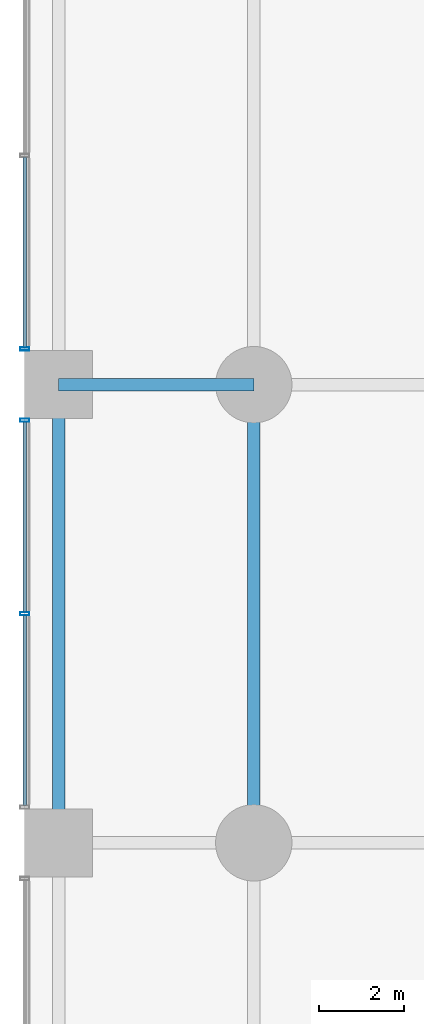
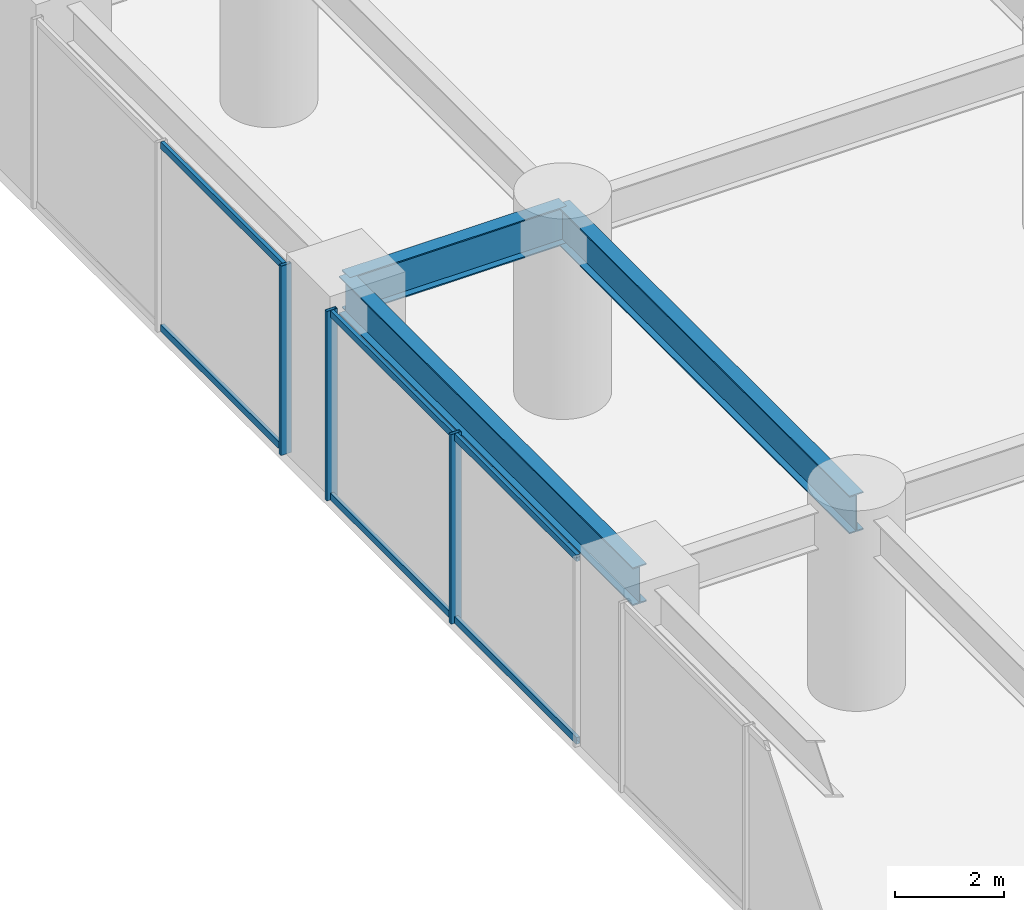
# One storey, part 6 of 36: 9 members, 3 beams, 2 elements without a shape of their own.
"""IFC4 building model written with IfcOpenShell, lengths in metres."""

from ifc_helpers import new_model, si_unit, direction, frame, origin, origin_2d, place, context, subcontext, project, spatial, hollow_rectangle, i_section, extrude, material, layer, layer_set, material_profile, profile_set, type_object, element, aggregate, save


model = new_model("IFC4")

# Units and contexts
model_context = context("Model", 3, precision=1e-05, world=origin(), true_north=direction((0.0, 1.0)))
body_context = subcontext(model_context, "Body", "Model", "MODEL_VIEW")
ifc_project = project(units=[si_unit("LENGTHUNIT", "METRE"), si_unit("AREAUNIT", "SQUARE_METRE"), si_unit("VOLUMEUNIT", "CUBIC_METRE"), si_unit("PLANEANGLEUNIT", "RADIAN"), si_unit("MASSUNIT", "GRAM", prefix="KILO")], contexts=[model_context])

# Site, building, storey
site_placement = place(None, origin())
site = spatial("IfcSite", under=ifc_project, at=site_placement, CompositionType="ELEMENT")
building_placement = place(site_placement, origin())
building = spatial("IfcBuilding", under=site, at=building_placement, Name="Surkhivell Harbour Commons", CompositionType="ELEMENT")
storey_placement = place(building_placement, frame((0.0, 0.0, 9.0)))
storey = spatial("IfcBuildingStorey", under=building, at=storey_placement, Name="L02", CompositionType="ELEMENT", Elevation=9.0)

# Beams
ifc_material_1 = material(Name="Steel S460", Category="steel")
ifc_material_profile_1 = material_profile(ifc_material_1, i_section(OverallWidth=0.2939453125, OverallDepth=0.85107421875, WebThickness=0.01611328125, FlangeThickness=0.02685546875, at=origin_2d()), Name="UB838x292x226")
ifc_profile_set_1 = profile_set([ifc_material_profile_1], Name="Steel S460")
beam_type = type_object("IfcBeamType", Name="BM-SPN-838", PredefinedType="SPANDREL", material=ifc_profile_set_1)
beam_1_placement = place(storey_placement, frame((-37.0, -10.800048828125, 3.824462890625), z_axis=(0.0, 1.0, 0.0), x_axis=(-1.0, 0.0, 0.0)))
element("IfcBeam", 1, at=beam_1_placement, inside=storey, type_object=beam_type, Name="L02 Framing Beam (-37.0,-10.8)", PredefinedType="SPANDREL", context=body_context, shape_type="SweptSolid", body=[
    extrude(i_section(OverallWidth=0.2939453125, OverallDepth=0.85107421875, WebThickness=0.01611328125, FlangeThickness=0.02685546875, at=origin_2d()), origin(), (0.0, 0.0, 1.0), 10.800048828125),
])
beam_2_placement = place(storey_placement, frame((-37.0, 0.0, 3.824462890625), z_axis=(1.0, 0.0, 0.0), x_axis=(0.0, 1.0, 0.0)))
element("IfcBeam", 2, at=beam_2_placement, inside=storey, type_object=beam_type, Name="L02 Framing Beam (-37.0,0.0)", PredefinedType="SPANDREL", context=body_context, shape_type="SweptSolid", body=[
    extrude(i_section(OverallWidth=0.2939453125, OverallDepth=0.85107421875, WebThickness=0.01611328125, FlangeThickness=0.02685546875, at=origin_2d()), origin(), (0.0, 0.0, 1.0), 4.60009765625),
])
beam_3_placement = place(storey_placement, frame((-32.39990234375, -10.800048828125, 3.824462890625), z_axis=(0.0, 1.0, 0.0), x_axis=(-1.0, 0.0, 0.0)))
element("IfcBeam", 3, at=beam_3_placement, inside=storey, type_object=beam_type, Name="L02 Framing Beam (-32.4,-10.8)", PredefinedType="SPANDREL", context=body_context, shape_type="SweptSolid", body=[
    extrude(i_section(OverallWidth=0.2939453125, OverallDepth=0.85107421875, WebThickness=0.01611328125, FlangeThickness=0.02685546875, at=origin_2d()), origin(), (0.0, 0.0, 1.0), 10.800048828125),
])

# Curtain wall, members
ifc_material_2 = material(Name="Anodised pale-metal aluminium and insulated glazing", Category="aluminium")
ifc_layer = layer(ifc_material_2, 0.239990234375)
ifc_layer_set = layer_set([ifc_layer], Name="Anodised pale-metal aluminium and insulated glazing")
curtain_wall_type = type_object("IfcCurtainWallType", Name="CW-SYS-POD", PredefinedType="NOTDEFINED", material=ifc_layer_set)
curtain_wall_1_placement = place(storey_placement, origin())
curtain_wall_1 = element("IfcCurtainWall", 4, at=curtain_wall_1_placement, inside=storey, type_object=curtain_wall_type, Name="L02 Curtain Wall CW-L02-W3", PredefinedType="NOTDEFINED")
ifc_material_3 = material(Name="Anodised pale-metal aluminium alloy 6063-T6", Category="aluminium")
ifc_material_profile_2 = material_profile(ifc_material_3, hollow_rectangle(XDim=0.074951171875, YDim=0.219970703125, WallThickness=0.00390625, at=origin_2d()), Name="ALU-MULL-75x220")
ifc_profile_set_2 = profile_set([ifc_material_profile_2], Name="Anodised pale-metal aluminium alloy 6063-T6")
member_type_1 = type_object("IfcMemberType", Name="CWM-220", PredefinedType="MULLION", material=ifc_profile_set_2)
member_1_placement = place(storey_placement, frame((-37.800048828125, -5.39990234375, 0.0), z_axis=(0.0, 0.0, 1.0), x_axis=(0.0, 1.0, 0.0)))
member_1 = element("IfcMember", 5, at=member_1_placement, type_object=member_type_1, Name="CW-POD mullion 2", PredefinedType="MULLION", context=body_context, shape_type="SweptSolid", body=[
    extrude(hollow_rectangle(XDim=0.074951171875, YDim=0.219970703125, WallThickness=0.00390625, at=origin_2d()), origin(), (0.0, 0.0, 1.0), 4.25),
])
member_2_placement = place(storey_placement, frame((-37.800048828125, -0.839599609375, 0.0), z_axis=(0.0, 0.0, 1.0), x_axis=(0.0, 1.0, 0.0)))
member_2 = element("IfcMember", 6, at=member_2_placement, type_object=member_type_1, Name="CW-POD mullion 3", PredefinedType="MULLION", context=body_context, shape_type="SweptSolid", body=[
    extrude(hollow_rectangle(XDim=0.074951171875, YDim=0.219970703125, WallThickness=0.00390625, at=origin_2d()), origin(), (0.0, 0.0, 1.0), 4.25),
])

# Curtain wall, member
curtain_wall_2_placement = place(storey_placement, origin())
curtain_wall_2 = element("IfcCurtainWall", 7, at=curtain_wall_2_placement, inside=storey, type_object=curtain_wall_type, Name="L02 Curtain Wall CW-L02-W4", PredefinedType="NOTDEFINED")
member_3_placement = place(storey_placement, frame((-37.800048828125, 0.839599609375, 0.0), z_axis=(0.0, 0.0, 1.0), x_axis=(0.0, 1.0, 0.0)))
member_3 = element("IfcMember", 8, at=member_3_placement, type_object=member_type_1, Name="CW-POD mullion 1", PredefinedType="MULLION", context=body_context, shape_type="SweptSolid", body=[
    extrude(hollow_rectangle(XDim=0.074951171875, YDim=0.219970703125, WallThickness=0.00390625, at=origin_2d()), origin(), (0.0, 0.0, 1.0), 4.25),
])

# Member
ifc_material_profile_3 = material_profile(ifc_material_3, hollow_rectangle(XDim=0.074951171875, YDim=0.14990234375, WallThickness=0.00341796875, at=origin_2d()), Name="ALU-TRAN-75x150")
ifc_profile_set_3 = profile_set([ifc_material_profile_3], Name="Anodised pale-metal aluminium alloy 6063-T6")
member_type_2 = type_object("IfcMemberType", Name="CWT-150", PredefinedType="USERDEFINED", material=ifc_profile_set_3)
member_4_placement = place(storey_placement, frame((-37.800048828125, -9.923095703125, 0.074951171875), z_axis=(0.0, 1.0, 0.0), x_axis=(-1.0, 0.0, 0.0)))
member_4 = element("IfcMember", 9, at=member_4_placement, type_object=member_type_2, Name="CW-POD transom 1.1", ObjectType="TRANSOM", PredefinedType="USERDEFINED", context=body_context, shape_type="SweptSolid", body=[
    extrude(hollow_rectangle(XDim=0.074951171875, YDim=0.14990234375, WallThickness=0.00341796875, at=origin_2d()), origin(), (0.0, 0.0, 1.0), 4.485595703125),
])

member_5_placement = place(storey_placement, frame((-37.800048828125, -9.923095703125, 4.175048828125), z_axis=(0.0, 1.0, 0.0), x_axis=(-1.0, 0.0, 0.0)))
member_5 = element("IfcMember", 10, at=member_5_placement, type_object=member_type_2, Name="CW-POD transom 1.2", ObjectType="TRANSOM", PredefinedType="USERDEFINED", context=body_context, shape_type="SweptSolid", body=[
    extrude(hollow_rectangle(XDim=0.074951171875, YDim=0.14990234375, WallThickness=0.00341796875, at=origin_2d()), origin(), (0.0, 0.0, 1.0), 4.485595703125),
])

member_6_placement = place(storey_placement, frame((-37.800048828125, -5.362548828125, 0.074951171875), z_axis=(0.0, 1.0, 0.0), x_axis=(-1.0, 0.0, 0.0)))
member_6 = element("IfcMember", 11, at=member_6_placement, type_object=member_type_2, Name="CW-POD transom 2.1", ObjectType="TRANSOM", PredefinedType="USERDEFINED", context=body_context, shape_type="SweptSolid", body=[
    extrude(hollow_rectangle(XDim=0.074951171875, YDim=0.14990234375, WallThickness=0.00341796875, at=origin_2d()), origin(), (0.0, 0.0, 1.0), 4.485595703125),
])

member_7_placement = place(storey_placement, frame((-37.800048828125, -5.362548828125, 4.175048828125), z_axis=(0.0, 1.0, 0.0), x_axis=(-1.0, 0.0, 0.0)))
member_7 = element("IfcMember", 12, at=member_7_placement, type_object=member_type_2, Name="CW-POD transom 2.2", ObjectType="TRANSOM", PredefinedType="USERDEFINED", context=body_context, shape_type="SweptSolid", body=[
    extrude(hollow_rectangle(XDim=0.074951171875, YDim=0.14990234375, WallThickness=0.00341796875, at=origin_2d()), origin(), (0.0, 0.0, 1.0), 4.485595703125),
])

aggregate(curtain_wall_1, [member_1, member_2, member_4, member_5, member_6, member_7])

member_8_placement = place(storey_placement, frame((-37.800048828125, 0.876953125, 0.074951171875), z_axis=(0.0, 1.0, 0.0), x_axis=(-1.0, 0.0, 0.0)))
member_8 = element("IfcMember", 13, at=member_8_placement, type_object=member_type_2, Name="CW-POD transom 1.1", ObjectType="TRANSOM", PredefinedType="USERDEFINED", context=body_context, shape_type="SweptSolid", body=[
    extrude(hollow_rectangle(XDim=0.074951171875, YDim=0.14990234375, WallThickness=0.00341796875, at=origin_2d()), origin(), (0.0, 0.0, 1.0), 4.485595703125),
])

member_9_placement = place(storey_placement, frame((-37.800048828125, 0.876953125, 4.175048828125), z_axis=(0.0, 1.0, 0.0), x_axis=(-1.0, 0.0, 0.0)))
member_9 = element("IfcMember", 14, at=member_9_placement, type_object=member_type_2, Name="CW-POD transom 1.2", ObjectType="TRANSOM", PredefinedType="USERDEFINED", context=body_context, shape_type="SweptSolid", body=[
    extrude(hollow_rectangle(XDim=0.074951171875, YDim=0.14990234375, WallThickness=0.00341796875, at=origin_2d()), origin(), (0.0, 0.0, 1.0), 4.485595703125),
])

aggregate(curtain_wall_2, [member_3, member_8, member_9])

save(model, "model.ifc")
